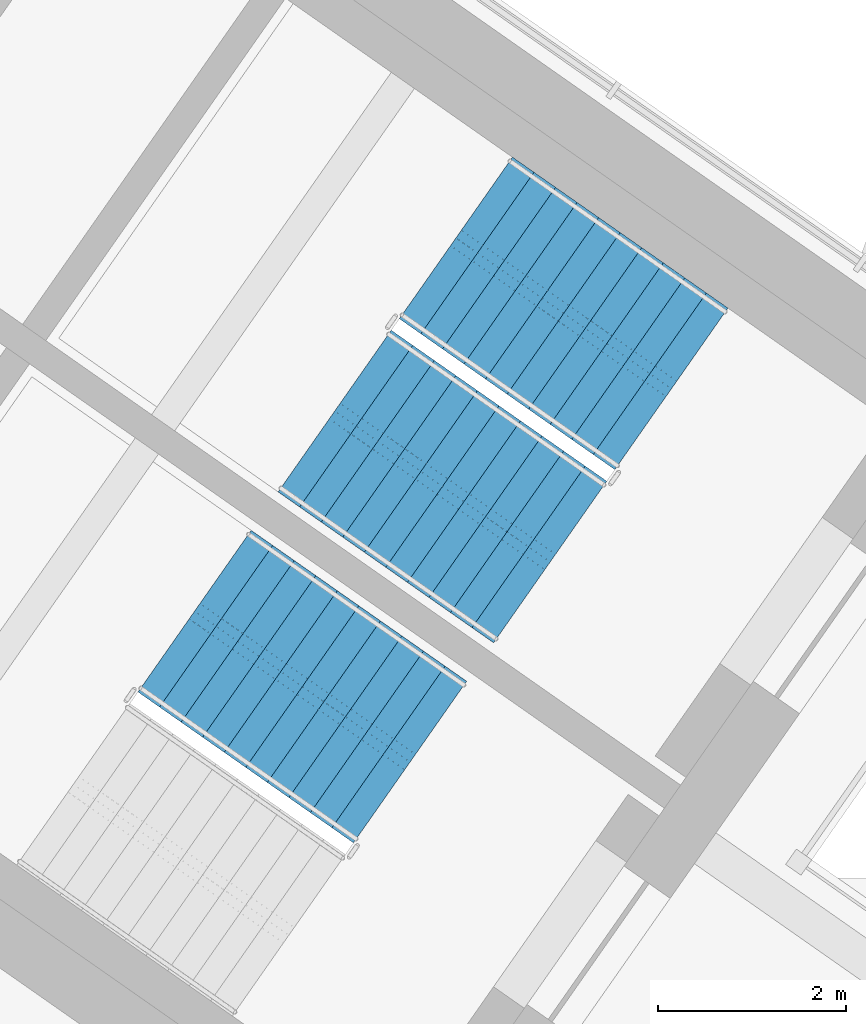
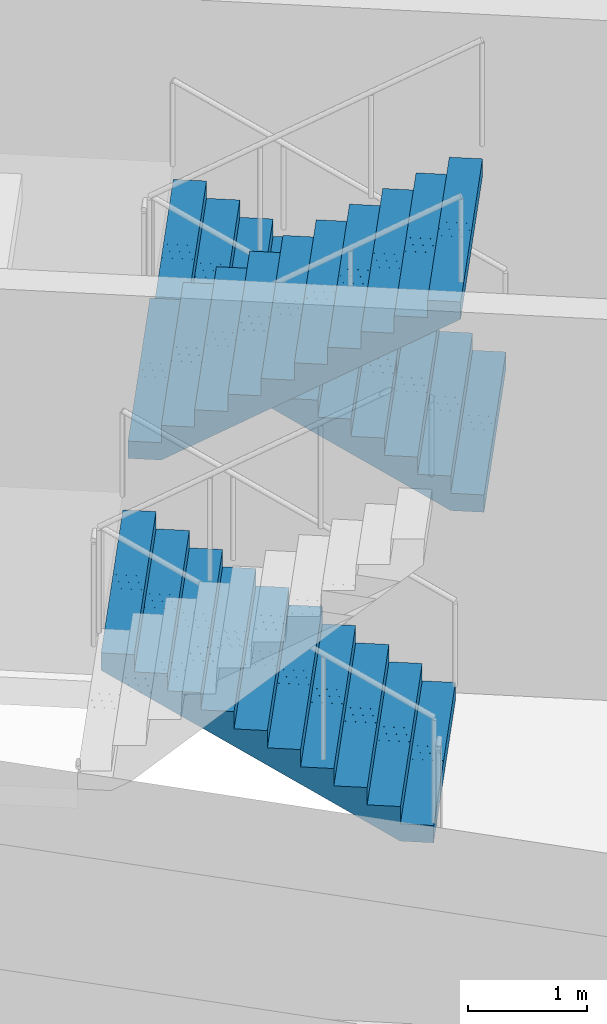
# One storey, part 13 of 18: 3 stair flights, 2 elements without a shape of their own.
"""IFC4 building model written with IfcOpenShell, lengths in metres."""

from ifc_helpers import new_model, si_unit, direction, frame, origin, place, context, subcontext, project, spatial, polyline, outline, extrude, material, type_object, element, aggregate, save


model = new_model("IFC4")

# Units and contexts
model_context = context("Model", 3, precision=1e-05, world=origin(), true_north=direction((0.0, 1.0)))
body_context = subcontext(model_context, "Body", "Model", "MODEL_VIEW")
ifc_project = project(units=[si_unit("LENGTHUNIT", "METRE"), si_unit("AREAUNIT", "SQUARE_METRE"), si_unit("VOLUMEUNIT", "CUBIC_METRE"), si_unit("PLANEANGLEUNIT", "RADIAN"), si_unit("MASSUNIT", "GRAM", prefix="KILO")], contexts=[model_context])

# Site, building, storey
site_placement = place(None, origin())
site = spatial("IfcSite", under=ifc_project, at=site_placement, CompositionType="ELEMENT")
building_placement = place(site_placement, origin())
building = spatial("IfcBuilding", under=site, at=building_placement, Name="Tel Ilan Convention Tower", CompositionType="ELEMENT")
storey_placement = place(building_placement, frame((0.0, 0.0, 264.39990234375)))
storey = spatial("IfcBuildingStorey", under=building, at=storey_placement, Name="L62", CompositionType="ELEMENT", Elevation=264.39990234375)

# Stair, stair flights
ifc_material_1 = material(Name="Concrete C40/50", Category="concrete")
stair_type = type_object("IfcStairType", Name="Pressurised Exit Stair 22 risers 177 mm", PredefinedType="HALF_TURN_STAIR", material=ifc_material_1)
stair_1_placement = place(storey_placement, origin())
stair_1 = element("IfcStair", 1, at=stair_1_placement, inside=storey, type_object=stair_type, Name="L62 Pressurised Stair S3", PredefinedType="HALF_TURN_STAIR")
ifc_material_2 = material(Name="Precast Concrete C40/50", Category="concrete")
stair_flight_type = type_object("IfcStairFlightType", Name="Concrete Stair Flight 2100 mm 22 risers 177 mm", PredefinedType="STRAIGHT", material=ifc_material_2)
stair_flight_1_placement = place(storey_placement, frame((24.25244140625, -7.032470703125, 0.0), z_axis=(0.0, 0.0, 1.0), x_axis=(-0.819152044289, 0.573576436351, 0.0)))
stair_flight_1 = element("IfcStairFlight", 2, at=stair_flight_1_placement, type_object=stair_flight_type, Name="S3 flight 1", NumberOfRisers=11, NumberOfTreads=10, PredefinedType="STRAIGHT", RiserHeight=0.177272727, TreadLength=0.28, context=body_context, shape_type="SweptSolid", body=[
    extrude(outline(polyline([(0.0, 0.0), (0.0, 0.17724609375), (0.280029296875, 0.17724609375), (0.280029296875, 0.3544921875), (0.56005859375, 0.3544921875), (0.56005859375, 0.53173828125), (0.840087890625, 0.53173828125), (0.840087890625, 0.708984375), (1.1201171875, 0.708984375), (1.1201171875, 0.886474609375), (1.39990234375, 0.886474609375), (1.39990234375, 1.063720703125), (1.679931640625, 1.063720703125), (1.679931640625, 1.240966796875), (1.9599609375, 1.240966796875), (1.9599609375, 1.418212890625), (2.239990234375, 1.418212890625), (2.239990234375, 1.595458984375), (2.52001953125, 1.595458984375), (2.52001953125, 1.772705078125), (2.800048828125, 1.772705078125), (2.800048828125, 1.949951171875), (2.800048828125, 1.59521484375), (0.2802734375, 0.0), (0.0, 0.0)])), frame((0.0, -0.100341796875, 0.0), z_axis=(0.0, -1.0, 0.0), x_axis=(1.0, 0.0, 0.0)), (0.0, 0.0, 1.0), 0.94970703125),
    extrude(outline(polyline([(0.0, 0.0), (0.0, 0.17724609375), (0.280029296875, 0.17724609375), (0.280029296875, 0.3544921875), (0.56005859375, 0.3544921875), (0.56005859375, 0.53173828125), (0.840087890625, 0.53173828125), (0.840087890625, 0.708984375), (1.1201171875, 0.708984375), (1.1201171875, 0.886474609375), (1.39990234375, 0.886474609375), (1.39990234375, 1.063720703125), (1.679931640625, 1.063720703125), (1.679931640625, 1.240966796875), (1.9599609375, 1.240966796875), (1.9599609375, 1.418212890625), (2.239990234375, 1.418212890625), (2.239990234375, 1.595458984375), (2.52001953125, 1.595458984375), (2.52001953125, 1.772705078125), (2.800048828125, 1.772705078125), (2.800048828125, 1.949951171875), (2.800048828125, 1.59521484375), (0.2802734375, 0.0), (0.0, 0.0)])), frame((0.0, -0.000244140625, 0.0), z_axis=(0.0, -1.0, 0.0), x_axis=(1.0, 0.0, 0.0)), (0.0, 0.0, 1.0), 0.099609375),
    extrude(outline(polyline([(0.0, 0.0), (0.0, 0.17724609375), (0.280029296875, 0.17724609375), (0.280029296875, 0.3544921875), (0.56005859375, 0.3544921875), (0.56005859375, 0.53173828125), (0.840087890625, 0.53173828125), (0.840087890625, 0.708984375), (1.1201171875, 0.708984375), (1.1201171875, 0.886474609375), (1.39990234375, 0.886474609375), (1.39990234375, 1.063720703125), (1.679931640625, 1.063720703125), (1.679931640625, 1.240966796875), (1.9599609375, 1.240966796875), (1.9599609375, 1.418212890625), (2.239990234375, 1.418212890625), (2.239990234375, 1.595458984375), (2.52001953125, 1.595458984375), (2.52001953125, 1.772705078125), (2.800048828125, 1.772705078125), (2.800048828125, 1.949951171875), (2.800048828125, 1.59521484375), (0.2802734375, 0.0), (0.0, 0.0)])), frame((0.0, 0.099853515625, 0.0), z_axis=(0.0, -1.0, 0.0), x_axis=(1.0, 0.0, 0.0)), (0.0, 0.0, 1.0), 0.099609375),
    extrude(outline(polyline([(0.0, 0.0), (0.0, 0.17724609375), (0.280029296875, 0.17724609375), (0.280029296875, 0.3544921875), (0.56005859375, 0.3544921875), (0.56005859375, 0.53173828125), (0.840087890625, 0.53173828125), (0.840087890625, 0.708984375), (1.1201171875, 0.708984375), (1.1201171875, 0.886474609375), (1.39990234375, 0.886474609375), (1.39990234375, 1.063720703125), (1.679931640625, 1.063720703125), (1.679931640625, 1.240966796875), (1.9599609375, 1.240966796875), (1.9599609375, 1.418212890625), (2.239990234375, 1.418212890625), (2.239990234375, 1.595458984375), (2.52001953125, 1.595458984375), (2.52001953125, 1.772705078125), (2.800048828125, 1.772705078125), (2.800048828125, 1.949951171875), (2.800048828125, 1.59521484375), (0.2802734375, 0.0), (0.0, 0.0)])), frame((0.0, 1.050048828125, 0.0), z_axis=(0.0, -1.0, 0.0), x_axis=(1.0, 0.0, 0.0)), (0.0, 0.0, 1.0), 0.94970703125),
])
stair_flight_2_placement = place(storey_placement, frame((20.668212890625, -7.26953125, 1.9501953125), z_axis=(0.0, 0.0, 1.0), x_axis=(0.819152044289, -0.573576436351, 0.0)))
stair_flight_2 = element("IfcStairFlight", 3, at=stair_flight_2_placement, type_object=stair_flight_type, Name="S3 flight 2", NumberOfRisers=11, NumberOfTreads=10, PredefinedType="STRAIGHT", RiserHeight=0.177272727, TreadLength=0.28, context=body_context, shape_type="SweptSolid", body=[
    extrude(outline(polyline([(0.0, 0.0), (0.0, 0.17724609375), (0.280029296875, 0.17724609375), (0.280029296875, 0.3544921875), (0.56005859375, 0.3544921875), (0.56005859375, 0.53173828125), (0.840087890625, 0.53173828125), (0.840087890625, 0.708984375), (1.1201171875, 0.708984375), (1.1201171875, 0.886474609375), (1.39990234375, 0.886474609375), (1.39990234375, 1.063720703125), (1.679931640625, 1.063720703125), (1.679931640625, 1.240966796875), (1.9599609375, 1.240966796875), (1.9599609375, 1.418212890625), (2.239990234375, 1.418212890625), (2.239990234375, 1.595458984375), (2.52001953125, 1.595458984375), (2.52001953125, 1.772705078125), (2.800048828125, 1.772705078125), (2.800048828125, 1.949951171875), (2.800048828125, 1.59521484375), (0.2802734375, 0.0), (0.0, 0.0)])), frame((0.0, -0.100341796875, 0.0), z_axis=(0.0, -1.0, 0.0), x_axis=(1.0, 0.0, 0.0)), (0.0, 0.0, 1.0), 0.94970703125),
    extrude(outline(polyline([(0.0, 0.0), (0.0, 0.17724609375), (0.280029296875, 0.17724609375), (0.280029296875, 0.3544921875), (0.56005859375, 0.3544921875), (0.56005859375, 0.53173828125), (0.840087890625, 0.53173828125), (0.840087890625, 0.708984375), (1.1201171875, 0.708984375), (1.1201171875, 0.886474609375), (1.39990234375, 0.886474609375), (1.39990234375, 1.063720703125), (1.679931640625, 1.063720703125), (1.679931640625, 1.240966796875), (1.9599609375, 1.240966796875), (1.9599609375, 1.418212890625), (2.239990234375, 1.418212890625), (2.239990234375, 1.595458984375), (2.52001953125, 1.595458984375), (2.52001953125, 1.772705078125), (2.800048828125, 1.772705078125), (2.800048828125, 1.949951171875), (2.800048828125, 1.59521484375), (0.2802734375, 0.0), (0.0, 0.0)])), frame((0.0, -0.000244140625, 0.0), z_axis=(0.0, -1.0, 0.0), x_axis=(1.0, 0.0, 0.0)), (0.0, 0.0, 1.0), 0.099609375),
    extrude(outline(polyline([(0.0, 0.0), (0.0, 0.17724609375), (0.280029296875, 0.17724609375), (0.280029296875, 0.3544921875), (0.56005859375, 0.3544921875), (0.56005859375, 0.53173828125), (0.840087890625, 0.53173828125), (0.840087890625, 0.708984375), (1.1201171875, 0.708984375), (1.1201171875, 0.886474609375), (1.39990234375, 0.886474609375), (1.39990234375, 1.063720703125), (1.679931640625, 1.063720703125), (1.679931640625, 1.240966796875), (1.9599609375, 1.240966796875), (1.9599609375, 1.418212890625), (2.239990234375, 1.418212890625), (2.239990234375, 1.595458984375), (2.52001953125, 1.595458984375), (2.52001953125, 1.772705078125), (2.800048828125, 1.772705078125), (2.800048828125, 1.949951171875), (2.800048828125, 1.59521484375), (0.2802734375, 0.0), (0.0, 0.0)])), frame((0.0, 0.099853515625, 0.0), z_axis=(0.0, -1.0, 0.0), x_axis=(1.0, 0.0, 0.0)), (0.0, 0.0, 1.0), 0.099609375),
    extrude(outline(polyline([(0.0, 0.0), (0.0, 0.17724609375), (0.280029296875, 0.17724609375), (0.280029296875, 0.3544921875), (0.56005859375, 0.3544921875), (0.56005859375, 0.53173828125), (0.840087890625, 0.53173828125), (0.840087890625, 0.708984375), (1.1201171875, 0.708984375), (1.1201171875, 0.886474609375), (1.39990234375, 0.886474609375), (1.39990234375, 1.063720703125), (1.679931640625, 1.063720703125), (1.679931640625, 1.240966796875), (1.9599609375, 1.240966796875), (1.9599609375, 1.418212890625), (2.239990234375, 1.418212890625), (2.239990234375, 1.595458984375), (2.52001953125, 1.595458984375), (2.52001953125, 1.772705078125), (2.800048828125, 1.772705078125), (2.800048828125, 1.949951171875), (2.800048828125, 1.59521484375), (0.2802734375, 0.0), (0.0, 0.0)])), frame((0.0, 1.050048828125, 0.0), z_axis=(0.0, -1.0, 0.0), x_axis=(1.0, 0.0, 0.0)), (0.0, 0.0, 1.0), 0.94970703125),
])
aggregate(stair_1, [stair_flight_1, stair_flight_2])

# Stair, stair flight
stair_2_placement = place(storey_placement, origin())
stair_2 = element("IfcStair", 4, at=stair_2_placement, inside=storey, type_object=stair_type, Name="L62 Pressurised Stair S4", PredefinedType="HALF_TURN_STAIR")
stair_flight_3_placement = place(storey_placement, frame((21.470458984375, -11.00537109375, 0.0), z_axis=(0.0, 0.0, 1.0), x_axis=(-0.819152044289, 0.573576436351, 0.0)))
stair_flight_3 = element("IfcStairFlight", 5, at=stair_flight_3_placement, type_object=stair_flight_type, Name="S4 flight 1", NumberOfRisers=11, NumberOfTreads=10, PredefinedType="STRAIGHT", RiserHeight=0.177272727, TreadLength=0.28, context=body_context, shape_type="SweptSolid", body=[
    extrude(outline(polyline([(0.0, 0.0), (0.0, 0.17724609375), (0.280029296875, 0.17724609375), (0.280029296875, 0.3544921875), (0.56005859375, 0.3544921875), (0.56005859375, 0.53173828125), (0.840087890625, 0.53173828125), (0.840087890625, 0.708984375), (1.1201171875, 0.708984375), (1.1201171875, 0.886474609375), (1.39990234375, 0.886474609375), (1.39990234375, 1.063720703125), (1.679931640625, 1.063720703125), (1.679931640625, 1.240966796875), (1.9599609375, 1.240966796875), (1.9599609375, 1.418212890625), (2.239990234375, 1.418212890625), (2.239990234375, 1.595458984375), (2.52001953125, 1.595458984375), (2.52001953125, 1.772705078125), (2.800048828125, 1.772705078125), (2.800048828125, 1.949951171875), (2.800048828125, 1.59521484375), (0.2802734375, 0.0), (0.0, 0.0)])), frame((0.0, -0.100341796875, 0.0), z_axis=(0.0, -1.0, 0.0), x_axis=(1.0, 0.0, 0.0)), (0.0, 0.0, 1.0), 0.94970703125),
    extrude(outline(polyline([(0.0, 0.0), (0.0, 0.17724609375), (0.280029296875, 0.17724609375), (0.280029296875, 0.3544921875), (0.56005859375, 0.3544921875), (0.56005859375, 0.53173828125), (0.840087890625, 0.53173828125), (0.840087890625, 0.708984375), (1.1201171875, 0.708984375), (1.1201171875, 0.886474609375), (1.39990234375, 0.886474609375), (1.39990234375, 1.063720703125), (1.679931640625, 1.063720703125), (1.679931640625, 1.240966796875), (1.9599609375, 1.240966796875), (1.9599609375, 1.418212890625), (2.239990234375, 1.418212890625), (2.239990234375, 1.595458984375), (2.52001953125, 1.595458984375), (2.52001953125, 1.772705078125), (2.800048828125, 1.772705078125), (2.800048828125, 1.949951171875), (2.800048828125, 1.59521484375), (0.2802734375, 0.0), (0.0, 0.0)])), frame((0.0, -0.000244140625, 0.0), z_axis=(0.0, -1.0, 0.0), x_axis=(1.0, 0.0, 0.0)), (0.0, 0.0, 1.0), 0.099609375),
    extrude(outline(polyline([(0.0, 0.0), (0.0, 0.17724609375), (0.280029296875, 0.17724609375), (0.280029296875, 0.3544921875), (0.56005859375, 0.3544921875), (0.56005859375, 0.53173828125), (0.840087890625, 0.53173828125), (0.840087890625, 0.708984375), (1.1201171875, 0.708984375), (1.1201171875, 0.886474609375), (1.39990234375, 0.886474609375), (1.39990234375, 1.063720703125), (1.679931640625, 1.063720703125), (1.679931640625, 1.240966796875), (1.9599609375, 1.240966796875), (1.9599609375, 1.418212890625), (2.239990234375, 1.418212890625), (2.239990234375, 1.595458984375), (2.52001953125, 1.595458984375), (2.52001953125, 1.772705078125), (2.800048828125, 1.772705078125), (2.800048828125, 1.949951171875), (2.800048828125, 1.59521484375), (0.2802734375, 0.0), (0.0, 0.0)])), frame((0.0, 0.099853515625, 0.0), z_axis=(0.0, -1.0, 0.0), x_axis=(1.0, 0.0, 0.0)), (0.0, 0.0, 1.0), 0.099609375),
    extrude(outline(polyline([(0.0, 0.0), (0.0, 0.17724609375), (0.280029296875, 0.17724609375), (0.280029296875, 0.3544921875), (0.56005859375, 0.3544921875), (0.56005859375, 0.53173828125), (0.840087890625, 0.53173828125), (0.840087890625, 0.708984375), (1.1201171875, 0.708984375), (1.1201171875, 0.886474609375), (1.39990234375, 0.886474609375), (1.39990234375, 1.063720703125), (1.679931640625, 1.063720703125), (1.679931640625, 1.240966796875), (1.9599609375, 1.240966796875), (1.9599609375, 1.418212890625), (2.239990234375, 1.418212890625), (2.239990234375, 1.595458984375), (2.52001953125, 1.595458984375), (2.52001953125, 1.772705078125), (2.800048828125, 1.772705078125), (2.800048828125, 1.949951171875), (2.800048828125, 1.59521484375), (0.2802734375, 0.0), (0.0, 0.0)])), frame((0.0, 1.050048828125, 0.0), z_axis=(0.0, -1.0, 0.0), x_axis=(1.0, 0.0, 0.0)), (0.0, 0.0, 1.0), 0.94970703125),
])
aggregate(stair_2, [stair_flight_3])

save(model, "model.ifc")
